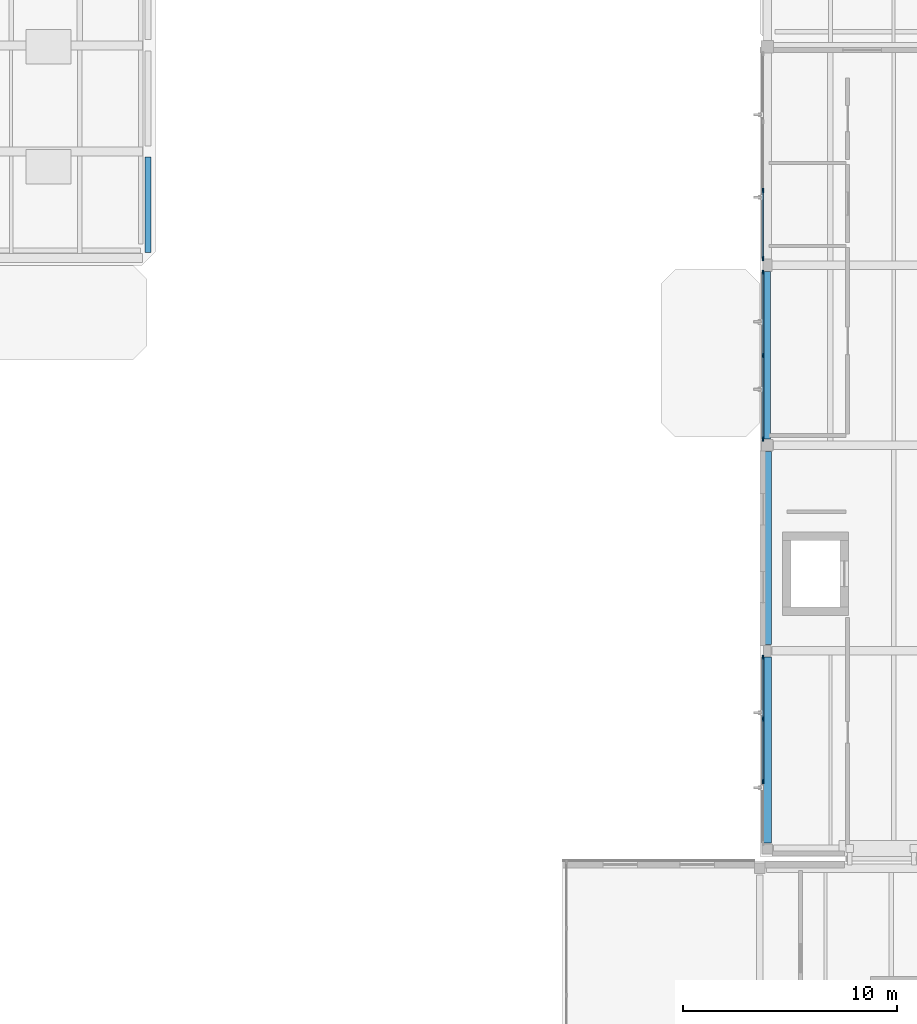
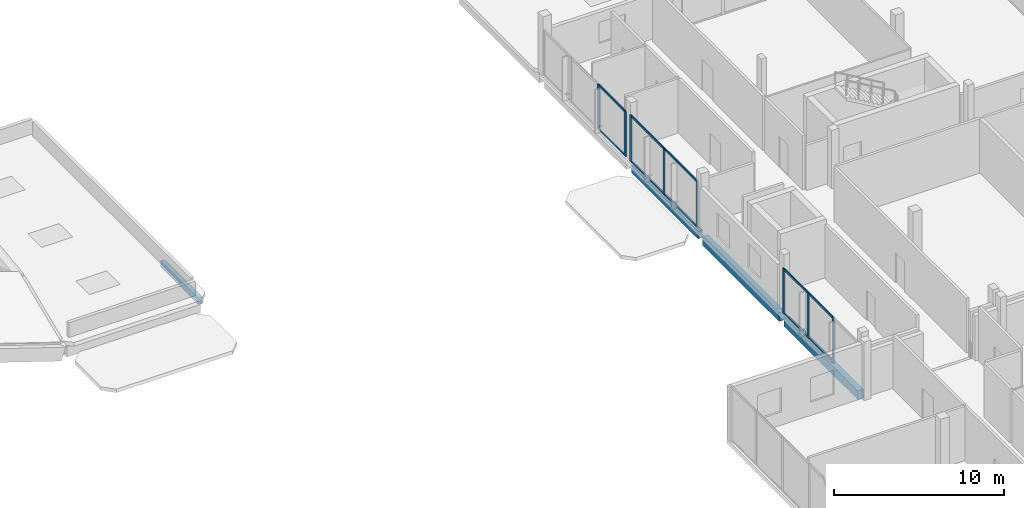
# One storey, part 21 of 66: 18 members, 4 beams, 3 elements without a shape of their own.
"""IFC4 building model written with IfcOpenShell, lengths in metres."""

from ifc_helpers import new_model, si_unit, direction, frame, origin, origin_2d, place, context, subcontext, project, spatial, rectangle, extrude, material, layer, layer_set, material_profile, profile_set, type_object, element, aggregate, save


model = new_model("IFC4")

# Units and contexts
model_context = context("Model", 3, precision=1e-05, world=origin(), true_north=direction((0.0, 1.0)))
body_context = subcontext(model_context, "Body", "Model", "MODEL_VIEW")
ifc_project = project(units=[si_unit("LENGTHUNIT", "METRE"), si_unit("AREAUNIT", "SQUARE_METRE"), si_unit("VOLUMEUNIT", "CUBIC_METRE"), si_unit("PLANEANGLEUNIT", "RADIAN"), si_unit("MASSUNIT", "GRAM", prefix="KILO")], contexts=[model_context])

# Site, building, storey
site_placement = place(None, origin())
site = spatial("IfcSite", under=ifc_project, at=site_placement, CompositionType="ELEMENT")
building_placement = place(site_placement, origin())
building = spatial("IfcBuilding", under=site, at=building_placement, Name="Birchvale Park Specialist Clinic", CompositionType="ELEMENT")
storey_placement = place(building_placement, frame((0.0, 0.0, 5.39990234375)))
storey = spatial("IfcBuildingStorey", under=building, at=storey_placement, Name="L01", CompositionType="ELEMENT", Elevation=5.39990234375)

# Beams
ifc_material_1 = material(Name="Concrete C40/50", Category="concrete")
ifc_material_profile_1 = material_profile(ifc_material_1, rectangle(XDim=0.3798828125, YDim=0.639892578125, at=origin_2d()), Name="RCB-380x640")
ifc_profile_set_1 = profile_set([ifc_material_profile_1], Name="Concrete C40/50")
beam_type_1 = type_object("IfcBeamType", Name="BM-EXT-BG5", PredefinedType="BEAM", material=ifc_profile_set_1)
beam_1_placement = place(storey_placement, frame((128.35009765625, 64.239990234375, -0.619873046875), z_axis=(0.0, 1.0, 0.0), x_axis=(-1.0, 0.0, 0.0)))
element("IfcBeam", 1, at=beam_1_placement, inside=storey, type_object=beam_type_1, Name="V6 L01 Y girder 25", PredefinedType="BEAM", context=body_context, shape_type="SweptSolid", body=[
    extrude(rectangle(XDim=0.3798828125, YDim=0.639892578125, at=origin_2d()), origin(), (0.0, 0.0, 1.0), 8.669921875),
])
beam_2_placement = place(storey_placement, frame((128.35009765625, 73.489990234375, -0.619873046875), z_axis=(0.0, 1.0, 0.0), x_axis=(-1.0, 0.0, 0.0)))
element("IfcBeam", 2, at=beam_2_placement, inside=storey, type_object=beam_type_1, Name="V6 L01 Y girder 26", PredefinedType="BEAM", context=body_context, shape_type="SweptSolid", body=[
    extrude(rectangle(XDim=0.3798828125, YDim=0.639892578125, at=origin_2d()), origin(), (0.0, 0.0, 1.0), 9.02001953125),
])
ifc_material_profile_2 = material_profile(ifc_material_1, rectangle(XDim=0.320068359375, YDim=0.5400390625, at=origin_2d()), Name="RCB-320x540")
ifc_profile_set_2 = profile_set([ifc_material_profile_2], Name="Concrete C40/50")
beam_type_2 = type_object("IfcBeamType", Name="BM-EXT-BG7", PredefinedType="BEAM", material=ifc_profile_set_2)
beam_3_placement = place(storey_placement, frame((128.35009765625, 83.090087890625, -0.56982421875), z_axis=(0.0, 1.0, 0.0), x_axis=(-1.0, 0.0, 0.0)))
element("IfcBeam", 3, at=beam_3_placement, inside=storey, type_object=beam_type_2, Name="V6 L01 Y girder 27", PredefinedType="BEAM", context=body_context, shape_type="SweptSolid", body=[
    extrude(rectangle(XDim=0.320068359375, YDim=0.5400390625, at=origin_2d()), origin(), (0.0, 0.0, 1.0), 7.81982421875),
])
ifc_material_profile_3 = material_profile(ifc_material_1, rectangle(XDim=0.280029296875, YDim=0.43994140625, at=origin_2d()), Name="RCB-280x440")
ifc_profile_set_3 = profile_set([ifc_material_profile_3], Name="Concrete C40/50")
beam_type_3 = type_object("IfcBeamType", Name="BM-EXT-BG9", PredefinedType="BEAM", material=ifc_profile_set_3)
beam_4_placement = place(storey_placement, frame((99.449951171875, 91.81005859375, -0.494873046875), z_axis=(0.0, 1.0, 0.0), x_axis=(-1.0, 0.0, 0.0)))
element("IfcBeam", 4, at=beam_4_placement, inside=storey, type_object=beam_type_3, Name="V3 L01 Y girder 10", PredefinedType="BEAM", context=body_context, shape_type="SweptSolid", body=[
    extrude(rectangle(XDim=0.280029296875, YDim=0.43994140625, at=origin_2d()), origin(), (0.0, 0.0, 1.0), 4.4423828125),
])

# Curtain wall, members
ifc_material_2 = material(Name="Thermally broken anodised aluminium", Category="aluminium")
ifc_layer = layer(ifc_material_2, 0.2099609375)
ifc_layer_set = layer_set([ifc_layer], Name="Thermally broken anodised aluminium")
curtain_wall_type = type_object("IfcCurtainWallType", Name="CW-U3", PredefinedType="USERDEFINED", material=ifc_layer_set)
curtain_wall_1_placement = place(storey_placement, origin())
curtain_wall_1 = element("IfcCurtainWall", 5, at=curtain_wall_1_placement, inside=storey, type_object=curtain_wall_type, Name="V6 L01 glazed curtain wall 100", ObjectType="UNITISED", PredefinedType="USERDEFINED")
ifc_material_profile_4 = material_profile(ifc_material_2, rectangle(XDim=0.070068359375, YDim=0.199951171875, at=origin_2d()), Name="CWM-70x200")
ifc_profile_set_4 = profile_set([ifc_material_profile_4], Name="Thermally broken anodised aluminium")
member_type_1 = type_object("IfcMemberType", Name="CWM3", PredefinedType="MULLION", material=ifc_profile_set_4)
member_1_placement = place(storey_placement, frame((128.14501953125, 94.69677734375, 0.0), z_axis=(0.0, 0.0, 1.0), x_axis=(1.0, 0.0, 0.0)))
member_1 = element("IfcMember", 6, at=member_1_placement, type_object=member_type_1, Name="CW mullion 3", PredefinedType="MULLION", context=body_context, shape_type="SweptSolid", body=[
    extrude(rectangle(XDim=0.070068359375, YDim=0.199951171875, at=origin_2d()), origin(), (0.0, 0.0, 1.0), 3.235107421875),
])
member_2_placement = place(storey_placement, frame((128.14501953125, 91.52490234375, 0.0), z_axis=(0.0, 0.0, 1.0), x_axis=(1.0, 0.0, 0.0)))
member_2 = element("IfcMember", 7, at=member_2_placement, type_object=member_type_1, Name="CW mullion 4", PredefinedType="MULLION", context=body_context, shape_type="SweptSolid", body=[
    extrude(rectangle(XDim=0.070068359375, YDim=0.199951171875, at=origin_2d()), origin(), (0.0, 0.0, 1.0), 3.235107421875),
])

curtain_wall_2_placement = place(storey_placement, origin())
curtain_wall_2 = element("IfcCurtainWall", 8, at=curtain_wall_2_placement, inside=storey, type_object=curtain_wall_type, Name="V6 L01 glazed curtain wall 101", ObjectType="UNITISED", PredefinedType="USERDEFINED")
member_3_placement = place(storey_placement, frame((128.14501953125, 90.875, 0.0), z_axis=(0.0, 0.0, 1.0), x_axis=(1.0, 0.0, 0.0)))
member_3 = element("IfcMember", 9, at=member_3_placement, type_object=member_type_1, Name="CW mullion 1", PredefinedType="MULLION", context=body_context, shape_type="SweptSolid", body=[
    extrude(rectangle(XDim=0.070068359375, YDim=0.199951171875, at=origin_2d()), origin(), (0.0, 0.0, 1.0), 3.34521484375),
])
member_4_placement = place(storey_placement, frame((128.14501953125, 86.987548828125, 0.0), z_axis=(0.0, 0.0, 1.0), x_axis=(1.0, 0.0, 0.0)))
member_4 = element("IfcMember", 10, at=member_4_placement, type_object=member_type_1, Name="CW mullion 2", PredefinedType="MULLION", context=body_context, shape_type="SweptSolid", body=[
    extrude(rectangle(XDim=0.070068359375, YDim=0.199951171875, at=origin_2d()), origin(), (0.0, 0.0, 1.0), 3.34521484375),
])
member_5_placement = place(storey_placement, frame((128.14501953125, 83.10009765625, 0.0), z_axis=(0.0, 0.0, 1.0), x_axis=(1.0, 0.0, 0.0)))
member_5 = element("IfcMember", 11, at=member_5_placement, type_object=member_type_1, Name="CW mullion 3", PredefinedType="MULLION", context=body_context, shape_type="SweptSolid", body=[
    extrude(rectangle(XDim=0.070068359375, YDim=0.199951171875, at=origin_2d()), origin(), (0.0, 0.0, 1.0), 3.34521484375),
])

curtain_wall_3_placement = place(storey_placement, origin())
curtain_wall_3 = element("IfcCurtainWall", 12, at=curtain_wall_3_placement, inside=storey, type_object=curtain_wall_type, Name="V6 L01 glazed curtain wall 102", ObjectType="UNITISED", PredefinedType="USERDEFINED")
member_6_placement = place(storey_placement, frame((128.14501953125, 72.905029296875, 0.0), z_axis=(0.0, 0.0, 1.0), x_axis=(1.0, 0.0, 0.0)))
member_6 = element("IfcMember", 13, at=member_6_placement, type_object=member_type_1, Name="CW mullion 1", PredefinedType="MULLION", context=body_context, shape_type="SweptSolid", body=[
    extrude(rectangle(XDim=0.070068359375, YDim=0.199951171875, at=origin_2d()), origin(), (0.0, 0.0, 1.0), 3.2451171875),
])
member_7_placement = place(storey_placement, frame((128.14501953125, 70.0234375, 0.0), z_axis=(0.0, 0.0, 1.0), x_axis=(1.0, 0.0, 0.0)))
member_7 = element("IfcMember", 14, at=member_7_placement, type_object=member_type_1, Name="CW mullion 2", PredefinedType="MULLION", context=body_context, shape_type="SweptSolid", body=[
    extrude(rectangle(XDim=0.070068359375, YDim=0.199951171875, at=origin_2d()), origin(), (0.0, 0.0, 1.0), 3.2451171875),
])
member_8_placement = place(storey_placement, frame((128.14501953125, 67.106689453125, 0.0), z_axis=(0.0, 0.0, 1.0), x_axis=(1.0, 0.0, 0.0)))
member_8 = element("IfcMember", 15, at=member_8_placement, type_object=member_type_1, Name="CW mullion 3", PredefinedType="MULLION", context=body_context, shape_type="SweptSolid", body=[
    extrude(rectangle(XDim=0.070068359375, YDim=0.199951171875, at=origin_2d()), origin(), (0.0, 0.0, 1.0), 3.2451171875),
])

# Member
ifc_material_profile_5 = material_profile(ifc_material_2, rectangle(XDim=0.070068359375, YDim=0.14990234375, at=origin_2d()), Name="CWT-70x150")
ifc_profile_set_5 = profile_set([ifc_material_profile_5], Name="Thermally broken anodised aluminium")
member_type_2 = type_object("IfcMemberType", Name="CWT3", PredefinedType="USERDEFINED", material=ifc_profile_set_5)
member_9_placement = place(storey_placement, frame((128.14501953125, 94.66162109375, 0.03515625), z_axis=(0.0, -1.0, 0.0), x_axis=(1.0, 0.0, 0.0)))
member_9 = element("IfcMember", 16, at=member_9_placement, type_object=member_type_2, Name="CW transom 3.1", ObjectType="TRANSOM", PredefinedType="USERDEFINED", context=body_context, shape_type="SweptSolid", body=[
    extrude(rectangle(XDim=0.070068359375, YDim=0.14990234375, at=origin_2d()), origin(), (0.0, 0.0, 1.0), 3.1015625),
])

member_10_placement = place(storey_placement, frame((128.14501953125, 94.66162109375, 3.2001953125), z_axis=(0.0, -1.0, 0.0), x_axis=(1.0, 0.0, 0.0)))
member_10 = element("IfcMember", 17, at=member_10_placement, type_object=member_type_2, Name="CW transom 3.2", ObjectType="TRANSOM", PredefinedType="USERDEFINED", context=body_context, shape_type="SweptSolid", body=[
    extrude(rectangle(XDim=0.070068359375, YDim=0.14990234375, at=origin_2d()), origin(), (0.0, 0.0, 1.0), 3.1015625),
])

aggregate(curtain_wall_1, [member_1, member_2, member_9, member_10])

member_11_placement = place(storey_placement, frame((128.14501953125, 90.840087890625, 0.03515625), z_axis=(0.0, -1.0, 0.0), x_axis=(1.0, 0.0, 0.0)))
member_11 = element("IfcMember", 18, at=member_11_placement, type_object=member_type_2, Name="CW transom 1.1", ObjectType="TRANSOM", PredefinedType="USERDEFINED", context=body_context, shape_type="SweptSolid", body=[
    extrude(rectangle(XDim=0.070068359375, YDim=0.14990234375, at=origin_2d()), origin(), (0.0, 0.0, 1.0), 3.817626953125),
])

member_12_placement = place(storey_placement, frame((128.14501953125, 90.840087890625, 3.31005859375), z_axis=(0.0, -1.0, 0.0), x_axis=(1.0, 0.0, 0.0)))
member_12 = element("IfcMember", 19, at=member_12_placement, type_object=member_type_2, Name="CW transom 1.2", ObjectType="TRANSOM", PredefinedType="USERDEFINED", context=body_context, shape_type="SweptSolid", body=[
    extrude(rectangle(XDim=0.070068359375, YDim=0.14990234375, at=origin_2d()), origin(), (0.0, 0.0, 1.0), 3.817626953125),
])

member_13_placement = place(storey_placement, frame((128.14501953125, 86.952392578125, 0.03515625), z_axis=(0.0, -1.0, 0.0), x_axis=(1.0, 0.0, 0.0)))
member_13 = element("IfcMember", 20, at=member_13_placement, type_object=member_type_2, Name="CW transom 2.1", ObjectType="TRANSOM", PredefinedType="USERDEFINED", context=body_context, shape_type="SweptSolid", body=[
    extrude(rectangle(XDim=0.070068359375, YDim=0.14990234375, at=origin_2d()), origin(), (0.0, 0.0, 1.0), 3.8173828125),
])

member_14_placement = place(storey_placement, frame((128.14501953125, 86.952392578125, 3.31005859375), z_axis=(0.0, -1.0, 0.0), x_axis=(1.0, 0.0, 0.0)))
member_14 = element("IfcMember", 21, at=member_14_placement, type_object=member_type_2, Name="CW transom 2.2", ObjectType="TRANSOM", PredefinedType="USERDEFINED", context=body_context, shape_type="SweptSolid", body=[
    extrude(rectangle(XDim=0.070068359375, YDim=0.14990234375, at=origin_2d()), origin(), (0.0, 0.0, 1.0), 3.8173828125),
])

aggregate(curtain_wall_2, [member_3, member_4, member_5, member_11, member_12, member_13, member_14])

member_15_placement = place(storey_placement, frame((128.14501953125, 72.8701171875, 0.03515625), z_axis=(0.0, -1.0, 0.0), x_axis=(1.0, 0.0, 0.0)))
member_15 = element("IfcMember", 22, at=member_15_placement, type_object=member_type_2, Name="CW transom 1.1", ObjectType="TRANSOM", PredefinedType="USERDEFINED", context=body_context, shape_type="SweptSolid", body=[
    extrude(rectangle(XDim=0.070068359375, YDim=0.14990234375, at=origin_2d()), origin(), (0.0, 0.0, 1.0), 2.811767578125),
])

member_16_placement = place(storey_placement, frame((128.14501953125, 72.8701171875, 3.210205078125), z_axis=(0.0, -1.0, 0.0), x_axis=(1.0, 0.0, 0.0)))
member_16 = element("IfcMember", 23, at=member_16_placement, type_object=member_type_2, Name="CW transom 1.2", ObjectType="TRANSOM", PredefinedType="USERDEFINED", context=body_context, shape_type="SweptSolid", body=[
    extrude(rectangle(XDim=0.070068359375, YDim=0.14990234375, at=origin_2d()), origin(), (0.0, 0.0, 1.0), 2.811767578125),
])

member_17_placement = place(storey_placement, frame((128.14501953125, 69.98828125, 0.03515625), z_axis=(0.0, -1.0, 0.0), x_axis=(1.0, 0.0, 0.0)))
member_17 = element("IfcMember", 24, at=member_17_placement, type_object=member_type_2, Name="CW transom 2.1", ObjectType="TRANSOM", PredefinedType="USERDEFINED", context=body_context, shape_type="SweptSolid", body=[
    extrude(rectangle(XDim=0.070068359375, YDim=0.14990234375, at=origin_2d()), origin(), (0.0, 0.0, 1.0), 2.8466796875),
])

member_18_placement = place(storey_placement, frame((128.14501953125, 69.98828125, 3.210205078125), z_axis=(0.0, -1.0, 0.0), x_axis=(1.0, 0.0, 0.0)))
member_18 = element("IfcMember", 25, at=member_18_placement, type_object=member_type_2, Name="CW transom 2.2", ObjectType="TRANSOM", PredefinedType="USERDEFINED", context=body_context, shape_type="SweptSolid", body=[
    extrude(rectangle(XDim=0.070068359375, YDim=0.14990234375, at=origin_2d()), origin(), (0.0, 0.0, 1.0), 2.8466796875),
])

aggregate(curtain_wall_3, [member_6, member_7, member_8, member_15, member_16, member_17, member_18])

save(model, "model.ifc")
